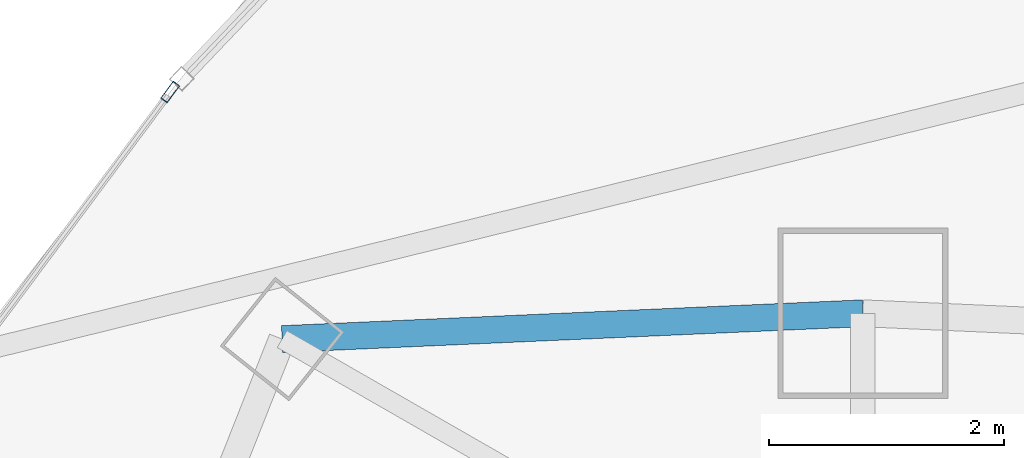
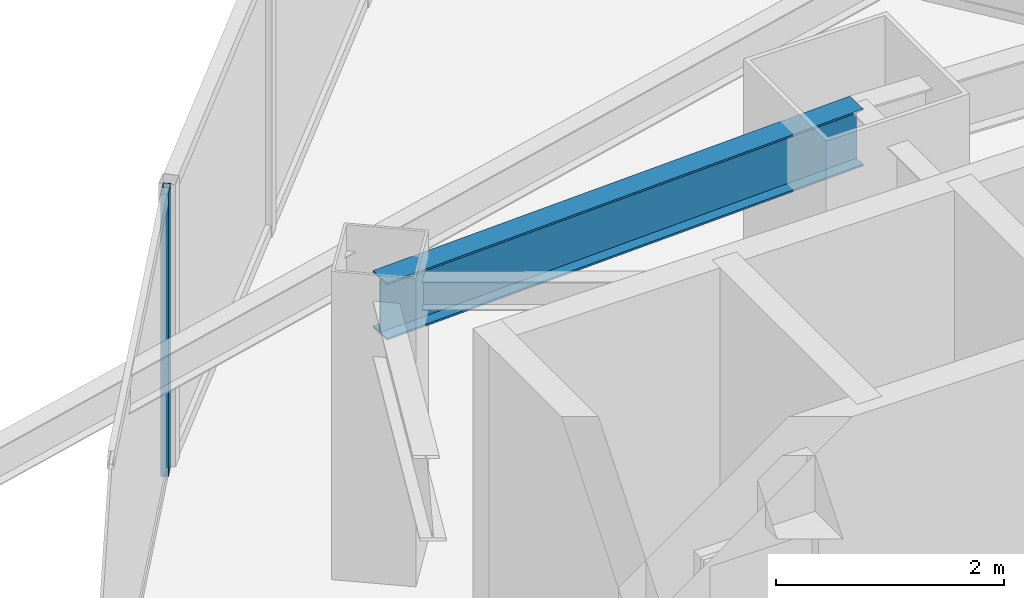
# One storey, part 20 of 30: 1 beam, 1 member, 1 element without a shape of its own.
"""IFC4 building model written with IfcOpenShell, lengths in metres."""

from ifc_helpers import new_model, si_unit, direction, frame, origin, origin_2d, place, context, subcontext, project, spatial, hollow_rectangle, i_section, extrude, material, layer, layer_set, material_profile, profile_set, type_object, element, aggregate, save


model = new_model("IFC4")

# Units and contexts
model_context = context("Model", 3, precision=1e-05, world=origin(), true_north=direction((0.0, 1.0)))
body_context = subcontext(model_context, "Body", "Model", "MODEL_VIEW")
ifc_project = project(units=[si_unit("LENGTHUNIT", "METRE"), si_unit("AREAUNIT", "SQUARE_METRE"), si_unit("VOLUMEUNIT", "CUBIC_METRE"), si_unit("PLANEANGLEUNIT", "RADIAN"), si_unit("MASSUNIT", "GRAM", prefix="KILO")], contexts=[model_context])

# Site, building, storey
site_placement = place(None, origin())
site = spatial("IfcSite", under=ifc_project, at=site_placement, CompositionType="ELEMENT")
building_placement = place(site_placement, origin())
building = spatial("IfcBuilding", under=site, at=building_placement, Name="Orvanel Arch Residences", CompositionType="ELEMENT")
storey_placement = place(building_placement, frame((0.0, 0.0, 143.0)))
storey = spatial("IfcBuildingStorey", under=building, at=storey_placement, Name="L40", CompositionType="ELEMENT", Elevation=143.0)

# Curtain wall, member
ifc_material_1 = material(Name="Bronze-anodised aluminium AA6063-T6", Category="aluminium")
ifc_layer = layer(ifc_material_1, 0.179931640625)
ifc_layer_set = layer_set([ifc_layer], Name="Bronze-anodised aluminium AA6063-T6")
curtain_wall_type = type_object("IfcCurtainWallType", Name="CW3-MID-SYS", PredefinedType="NOTDEFINED", material=ifc_layer_set)
curtain_wall_placement = place(storey_placement, origin())
curtain_wall = element("IfcCurtainWall", 1, at=curtain_wall_placement, inside=storey, type_object=curtain_wall_type, Name="L40 CW3-MID-SYS Unitised Curtain Wall", PredefinedType="NOTDEFINED")
ifc_material_profile_1 = material_profile(ifc_material_1, hollow_rectangle(XDim=0.070068359375, YDim=0.179931640625, WallThickness=0.00439453125, at=origin_2d()), Name="ALU180x70x4.5")
ifc_profile_set_1 = profile_set([ifc_material_profile_1], Name="Bronze-anodised aluminium AA6063-T6")
member_type = type_object("IfcMemberType", Name="MUL-180x70", PredefinedType="MULLION", material=ifc_profile_set_1)
member_placement = place(storey_placement, frame((27.09619140625, 43.283935546875, 0.0), z_axis=(0.0, 0.0, 1.0), x_axis=(0.801813762641, -0.597574003819, 0.0)))
member = element("IfcMember", 2, at=member_placement, type_object=member_type, Name="CW-S3 mullion 1", PredefinedType="MULLION", context=body_context, shape_type="SweptSolid", body=[
    extrude(hollow_rectangle(XDim=0.070068359375, YDim=0.179931640625, WallThickness=0.00439453125, at=origin_2d()), origin(), (0.0, 0.0, 1.0), 3.02001953125),
])
aggregate(curtain_wall, [member])

# Beam
ifc_material_2 = material(Name="Structural steel AS/NZS 3679.1 Grade 300 (300 MPa)", Category="steel")
ifc_material_profile_2 = material_profile(ifc_material_2, i_section(OverallWidth=0.22900390625, OverallDepth=0.612060546875, WebThickness=0.011962890625, FlangeThickness=0.01953125, at=origin_2d()), Name="610UB125")
ifc_profile_set_2 = profile_set([ifc_material_profile_2], Name="Structural steel AS/NZS 3679.1 Grade 300 (300 MPa)")
beam_type = type_object("IfcBeamType", Name="SP-610UB", PredefinedType="SPANDREL", material=ifc_profile_set_2)
beam_placement = place(storey_placement, frame((33.0, 41.39794921875, 2.714111328125), z_axis=(-0.999014049296, -0.044395149614, 0.0), x_axis=(0.044395149614, -0.999014049296, 0.0)))
element("IfcBeam", 3, at=beam_placement, inside=storey, type_object=beam_type, Name="L40 Perimeter Spandrel Beam 15", PredefinedType="SPANDREL", context=body_context, shape_type="SweptSolid", body=[
    extrude(i_section(OverallWidth=0.22900390625, OverallDepth=0.612060546875, WebThickness=0.011962890625, FlangeThickness=0.01953125, at=origin_2d()), origin(), (0.0, 0.0, 1.0), 4.954833984375),
])

save(model, "model.ifc")
